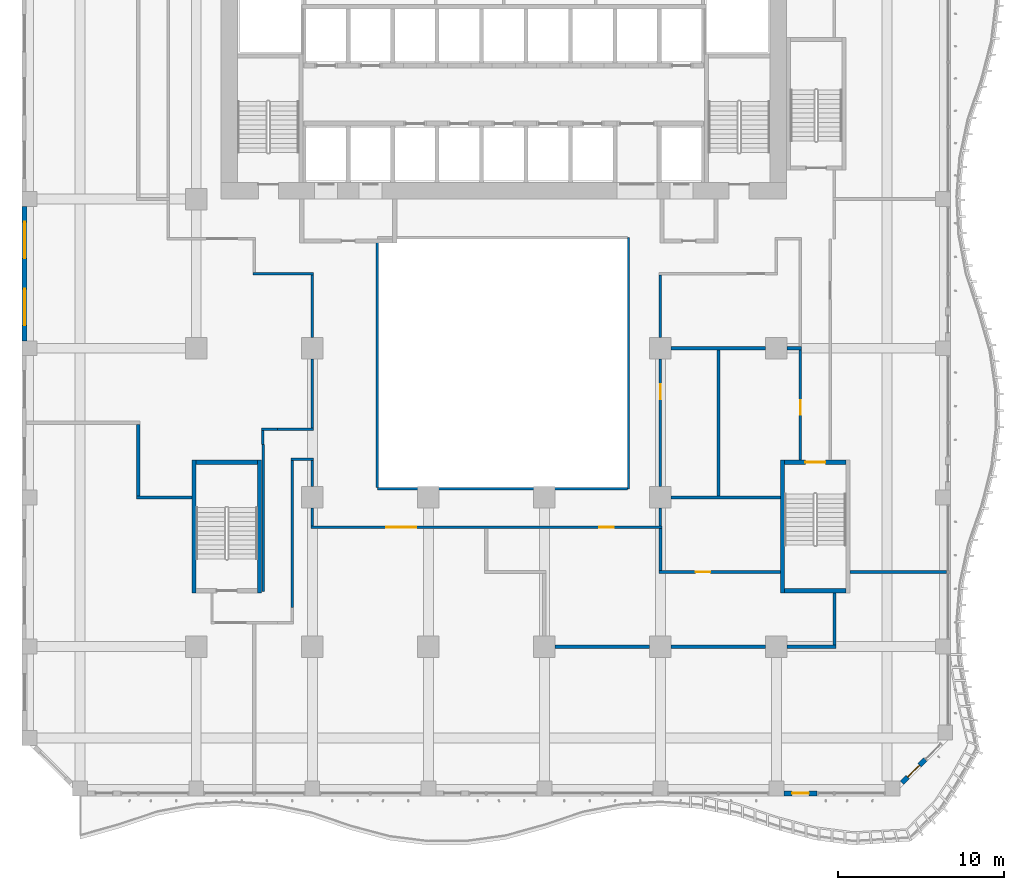
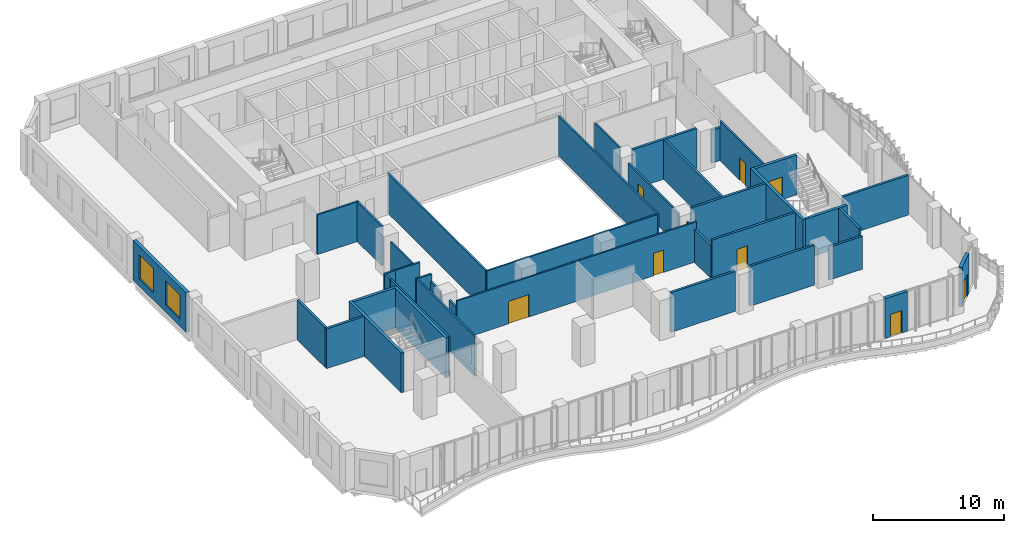
# One storey, part 13 of 26: 41 walls, 8 doors, 2 windows, 10 openings.
"""IFC4 building model written with IfcOpenShell, lengths in metres."""

from ifc_helpers import new_model, si_unit, direction, frame, frame_2d, origin, place, context, subcontext, project, spatial, rectangle, extrude, source, transform, mapped, material, layer, layer_set, type_object, element, fill, save


model = new_model("IFC4")

# Units and contexts
model_context = context("Model", 3, precision=1e-05, world=origin(), true_north=direction((0.0, 1.0)))
body_context = subcontext(model_context, "Body", "Model", "MODEL_VIEW")
ifc_project = project(units=[si_unit("LENGTHUNIT", "METRE"), si_unit("AREAUNIT", "SQUARE_METRE"), si_unit("VOLUMEUNIT", "CUBIC_METRE"), si_unit("PLANEANGLEUNIT", "RADIAN"), si_unit("MASSUNIT", "GRAM", prefix="KILO")], contexts=[model_context])

# Site, building, storey
site_placement = place(None, origin())
site = spatial("IfcSite", under=ifc_project, at=site_placement, CompositionType="ELEMENT")
building_placement = place(site_placement, origin())
building = spatial("IfcBuilding", under=site, at=building_placement, Name="Kilnfold Tower and Market Hall", CompositionType="ELEMENT")
storey_placement = place(building_placement, frame((0.0, 0.0, 31.0)))
storey = spatial("IfcBuildingStorey", under=building, at=storey_placement, Name="L06", CompositionType="ELEMENT", Elevation=31.0)

# Walls
ifc_material_1 = material(Name="Fire-resisting glazed screen")
ifc_layer_1 = layer(ifc_material_1, 0.14990234375)
ifc_layer_set_1 = layer_set([ifc_layer_1], Name="Fire-resisting glazed screen")
wall_type_1 = type_object("IfcWallType", Name="WALL ATRIUM 150", PredefinedType="PARTITIONING", material=ifc_layer_set_1)
wall_1_placement = place(storey_placement, frame((8.5, -9.47509765625, 0.0), z_axis=(0.0, 0.0, 1.0), x_axis=(-1.0, 0.0, 0.0)))
element("IfcWall", 1, at=wall_1_placement, inside=storey, type_object=wall_type_1, Name="Partition LY06.60", PredefinedType="PARTITIONING", context=body_context, shape_type="SweptSolid", body=[
    extrude(rectangle(XDim=15.074951171875, YDim=0.14990234375, at=frame_2d((7.53759765625, 0.0))), origin(), (0.0, 0.0, 1.0), 3.719970703125),
])
wall_2_placement = place(storey_placement, frame((-6.574951171875, -9.39990234375, 0.0), z_axis=(0.0, 0.0, 1.0), x_axis=(0.0, 1.0, 0.0)))
element("IfcWall", 2, at=wall_2_placement, inside=storey, type_object=wall_type_1, Name="Partition LY06.61", PredefinedType="PARTITIONING", context=body_context, shape_type="SweptSolid", body=[
    extrude(rectangle(XDim=15.0, YDim=0.14990234375, at=frame_2d((7.5, 0.0))), origin(), (0.0, 0.0, 1.0), 3.719970703125),
])
wall_3_placement = place(storey_placement, frame((8.574951171875, 5.675048828125, 0.0), z_axis=(0.0, 0.0, 1.0), x_axis=(0.0, -1.0, 0.0)))
element("IfcWall", 3, at=wall_3_placement, inside=storey, type_object=wall_type_1, Name="Partition LY06.63", PredefinedType="PARTITIONING", context=body_context, shape_type="SweptSolid", body=[
    extrude(rectangle(XDim=15.150146484375, YDim=0.14990234375, at=frame_2d((7.5751953125, 0.0))), origin(), (0.0, 0.0, 1.0), 3.719970703125),
])
ifc_material_2 = material(Name="Gypsum board on steel studs", Category="steel")
ifc_layer_2 = layer(ifc_material_2, 0.14990234375)
ifc_layer_set_2 = layer_set([ifc_layer_2], Name="Gypsum board on steel studs")
wall_type_2 = type_object("IfcWallType", Name="WALL CORRIDOR 150", PredefinedType="PARTITIONING", material=ifc_layer_set_2)
wall_4_placement = place(storey_placement, frame((-12.597900390625, -5.89794921875, 0.0), z_axis=(0.0, 0.0, 1.0), x_axis=(-1.0, 0.0, 0.0)))
element("IfcWall", 4, at=wall_4_placement, inside=storey, type_object=wall_type_2, Name="Partition LY06.1", PredefinedType="PARTITIONING", context=body_context, shape_type="SweptSolid", body=[
    extrude(rectangle(XDim=0.97900390625, YDim=0.14990234375, at=frame_2d((0.489501953125, 0.0))), origin(), (0.0, 0.0, 1.0), 3.719970703125),
])
wall_5_placement = place(storey_placement, frame((-10.425048828125, -5.89990234375, 0.0), z_axis=(0.0, 0.0, 1.0), x_axis=(-1.0, 0.0, 0.0)))
element("IfcWall", 5, at=wall_5_placement, inside=storey, type_object=wall_type_2, Name="Partition LY06.2", PredefinedType="PARTITIONING", context=body_context, shape_type="SweptSolid", body=[
    extrude(rectangle(XDim=2.1728515625, YDim=0.14990234375, at=frame_2d((1.08642578125, 0.0))), origin(), (0.0, 0.0, 1.0), 3.719970703125),
])
wall_6_placement = place(storey_placement, frame((-10.5, -5.824951171875, 0.0), z_axis=(0.0, 0.0, 1.0), x_axis=(0.0, 1.0, 0.0)))
element("IfcWall", 6, at=wall_6_placement, inside=storey, type_object=wall_type_2, Name="Partition LY06.3", PredefinedType="PARTITIONING", context=body_context, shape_type="SweptSolid", body=[
    extrude(rectangle(XDim=4.175048828125, YDim=0.14990234375, at=frame_2d((2.08740234375, 0.0))), origin(), (0.0, 0.0, 1.0), 3.070068359375),
])
wall_7_placement = place(storey_placement, frame((-10.5, -0.35009765625, 0.0), z_axis=(0.0, 0.0, 1.0), x_axis=(0.0, 1.0, 0.0)))
element("IfcWall", 7, at=wall_7_placement, inside=storey, type_object=wall_type_2, Name="Partition LY06.4", PredefinedType="PARTITIONING", context=body_context, shape_type="SweptSolid", body=[
    extrude(rectangle(XDim=3.775146484375, YDim=0.14990234375, at=frame_2d((1.8876953125, 0.0))), origin(), (0.0, 0.0, 1.0), 3.719970703125),
])
wall_8_placement = place(storey_placement, frame((-14.074951171875, 3.5, 0.0), z_axis=(0.0, 0.0, 1.0), x_axis=(1.0, 0.0, 0.0)))
element("IfcWall", 8, at=wall_8_placement, inside=storey, type_object=wall_type_2, Name="Partition LY06.5", PredefinedType="PARTITIONING", context=body_context, shape_type="SweptSolid", body=[
    extrude(rectangle(XDim=3.64990234375, YDim=0.14990234375, at=frame_2d((1.824951171875, 0.0))), origin(), (0.0, 0.0, 1.0), 3.719970703125),
])
wall_9_placement = place(storey_placement, frame((-13.469970703125, -6.802001953125, 0.0), z_axis=(0.0, 0.0, 1.0), x_axis=(0.0, -1.0, 0.0)))
element("IfcWall", 9, at=wall_9_placement, inside=storey, type_object=wall_type_2, Name="Partition LY06.9", PredefinedType="PARTITIONING", context=body_context, shape_type="SweptSolid", body=[
    extrude(rectangle(XDim=8.873046875, YDim=0.14990234375, at=frame_2d((4.4365234375, 0.0))), origin(), (0.0, 0.0, 1.0), 3.719970703125),
])
wall_10_placement = place(storey_placement, frame((-13.501953125, -5.972900390625, 0.0), z_axis=(0.0, 0.0, 1.0), x_axis=(0.0, -1.0, 0.0)))
element("IfcWall", 10, at=wall_10_placement, inside=storey, type_object=wall_type_2, Name="Partition LY06.10", PredefinedType="PARTITIONING", context=body_context, shape_type="SweptSolid", body=[
    extrude(rectangle(XDim=0.8291015625, YDim=0.14990234375, at=frame_2d((0.41455078125, 0.0))), origin(), (0.0, 0.0, 1.0), 3.719970703125),
])

# Wall, openings, doors
wall_11_placement = place(storey_placement, frame((-10.574951171875, -11.800048828125, 0.0), z_axis=(0.0, 0.0, 1.0), x_axis=(1.0, 0.0, 0.0)))
wall_11 = element("IfcWall", 11, at=wall_11_placement, inside=storey, type_object=wall_type_2, Name="Partition LY06.11", PredefinedType="PARTITIONING", context=body_context, shape_type="SweptSolid", body=[
    extrude(rectangle(XDim=21.175048828125, YDim=0.14990234375, at=frame_2d((10.58740234375, 0.0))), origin(), (0.0, 0.0, 1.0), 3.719970703125),
])
opening_1_placement = place(wall_11_placement, frame((4.5439453125, 0.0, 0.0)))
opening_1 = element("IfcOpeningElement", 12, at=opening_1_placement, cuts=wall_11, Name="Opening D5", PredefinedType="OPENING", context=body_context, shape_type="SweptSolid", body=[
    extrude(rectangle(XDim=1.800048828125, YDim=2.10009765625, at=frame_2d((0.89990234375, 1.050048828125))), frame((0.0, 0.0849609375, 0.0), z_axis=(0.0, -1.0, 0.0), x_axis=(1.0, 0.0, 0.0)), (0.0, 0.0, 1.0), 0.169921875),
])
opening_2_placement = place(wall_11_placement, frame((17.3720703125, 0.0, 0.0)))
opening_2 = element("IfcOpeningElement", 13, at=opening_2_placement, cuts=wall_11, Name="Opening D2", PredefinedType="OPENING", context=body_context, shape_type="SweptSolid", body=[
    extrude(rectangle(XDim=0.89990234375, YDim=2.10009765625, at=frame_2d((0.449951171875, 1.050048828125))), frame((0.0, 0.0849609375, 0.0), z_axis=(0.0, -1.0, 0.0), x_axis=(1.0, 0.0, 0.0)), (0.0, 0.0, 1.0), 0.169921875),
])
ifc_material_3 = material(Name="Timber veneer door leaf in steel frame", Category="steel")
door_type_1 = type_object("IfcDoorType", Name="DOOR DOUBLE 1800 X2100", OperationType="NOTDEFINED", PredefinedType="DOOR", material=ifc_material_3)
door_1_placement = place(opening_1_placement, origin())
door_1 = element("IfcDoor", 14, at=door_1_placement, inside=storey, type_object=door_type_1, Name="Door D5", OperationType="DOUBLE_DOOR_SINGLE_SWING", OverallHeight=2.10009765625, OverallWidth=1.800048828125, PredefinedType="DOOR", context=body_context, shape_type="SweptSolid", body=[
    extrude(rectangle(XDim=1.800048828125, YDim=2.10009765625, at=frame_2d((0.89990234375, 1.050048828125))), frame((0.0, 0.02490234375, 0.0), z_axis=(0.0, -1.0, 0.0), x_axis=(1.0, 0.0, 0.0)), (0.0, 0.0, 1.0), 0.050048828125),
])
fill(opening_1, door_1)
ifc_material_4 = material(Name="Timber veneer door leaf in steel frame", Category="steel")
door_type_2 = type_object("IfcDoorType", Name="DOOR ROOM 900 X2100", OperationType="NOTDEFINED", PredefinedType="DOOR", material=ifc_material_4)
door_2_placement = place(opening_2_placement, origin())
door_2 = element("IfcDoor", 15, at=door_2_placement, inside=storey, type_object=door_type_2, Name="Door D2", OperationType="SINGLE_SWING_LEFT", OverallHeight=2.10009765625, OverallWidth=0.89990234375, PredefinedType="DOOR", context=body_context, shape_type="SweptSolid", body=[
    extrude(rectangle(XDim=0.89990234375, YDim=2.10009765625, at=frame_2d((0.449951171875, 1.050048828125))), frame((0.0, 0.02490234375, 0.0), z_axis=(0.0, -1.0, 0.0), x_axis=(1.0, 0.0, 0.0)), (0.0, 0.0, 1.0), 0.050048828125),
])
fill(opening_2, door_2)

# Walls
wall_12_placement = place(storey_placement, frame((-10.5, -11.72509765625, 0.0), z_axis=(0.0, 0.0, 1.0), x_axis=(0.0, 1.0, 0.0)))
element("IfcWall", 16, at=wall_12_placement, inside=storey, type_object=wall_type_2, Name="Partition LY06.12", PredefinedType="PARTITIONING", context=body_context, shape_type="SweptSolid", body=[
    extrude(rectangle(XDim=1.0751953125, YDim=0.14990234375, at=frame_2d((0.53759765625, 0.0))), origin(), (0.0, 0.0, 1.0), 3.070068359375),
])
wall_13_placement = place(storey_placement, frame((-10.5, -9.35009765625, 0.0), z_axis=(0.0, 0.0, 1.0), x_axis=(0.0, 1.0, 0.0)))
element("IfcWall", 17, at=wall_13_placement, inside=storey, type_object=wall_type_2, Name="Partition LY06.13", PredefinedType="PARTITIONING", context=body_context, shape_type="SweptSolid", body=[
    extrude(rectangle(XDim=1.5751953125, YDim=0.14990234375, at=frame_2d((0.78759765625, 0.0))), origin(), (0.0, 0.0, 1.0), 3.070068359375),
])
wall_14_placement = place(storey_placement, frame((-11.77490234375, -7.699951171875, 0.0), z_axis=(0.0, 0.0, 1.0), x_axis=(1.0, 0.0, 0.0)))
element("IfcWall", 18, at=wall_14_placement, inside=storey, type_object=wall_type_2, Name="Partition LY06.14", PredefinedType="PARTITIONING", context=body_context, shape_type="SweptSolid", body=[
    extrude(rectangle(XDim=1.349853515625, YDim=0.14990234375, at=frame_2d((0.6748046875, 0.0))), origin(), (0.0, 0.0, 1.0), 3.719970703125),
])
wall_15_placement = place(storey_placement, frame((-11.699951171875, -16.64794921875, 0.0), z_axis=(0.0, 0.0, 1.0), x_axis=(0.0, 1.0, 0.0)))
element("IfcWall", 19, at=wall_15_placement, inside=storey, type_object=wall_type_2, Name="Partition LY06.15", PredefinedType="PARTITIONING", context=body_context, shape_type="SweptSolid", body=[
    extrude(rectangle(XDim=8.873046875, YDim=0.14990234375, at=frame_2d((4.4365234375, 0.0))), origin(), (0.0, 0.0, 1.0), 3.719970703125),
])
wall_16_placement = place(storey_placement, frame((10.5, -11.72509765625, 0.0), z_axis=(0.0, 0.0, 1.0), x_axis=(0.0, 1.0, 0.0)))
element("IfcWall", 20, at=wall_16_placement, inside=storey, type_object=wall_type_2, Name="Partition LY06.20", PredefinedType="PARTITIONING", context=body_context, shape_type="SweptSolid", body=[
    extrude(rectangle(XDim=1.0751953125, YDim=0.14990234375, at=frame_2d((0.53759765625, 0.0))), origin(), (0.0, 0.0, 1.0), 3.070068359375),
])

# Wall, opening, door
wall_17_placement = place(storey_placement, frame((10.5, -9.35009765625, 0.0), z_axis=(0.0, 0.0, 1.0), x_axis=(0.0, 1.0, 0.0)))
wall_17 = element("IfcWall", 21, at=wall_17_placement, inside=storey, type_object=wall_type_2, Name="Partition LY06.21", PredefinedType="PARTITIONING", context=body_context, shape_type="SweptSolid", body=[
    extrude(rectangle(XDim=7.7001953125, YDim=0.14990234375, at=frame_2d((3.85009765625, 0.0))), origin(), (0.0, 0.0, 1.0), 3.070068359375),
])
opening_3_placement = place(wall_17_placement, frame((5.279052734375, 0.0, 0.0)))
opening_3 = element("IfcOpeningElement", 22, at=opening_3_placement, cuts=wall_17, Name="Opening D3", PredefinedType="OPENING", context=body_context, shape_type="SweptSolid", body=[
    extrude(rectangle(XDim=0.89990234375, YDim=2.10009765625, at=frame_2d((0.449951171875, 1.050048828125))), frame((0.0, 0.0849609375, 0.0), z_axis=(0.0, -1.0, 0.0), x_axis=(1.0, 0.0, 0.0)), (0.0, 0.0, 1.0), 0.169921875),
])
ifc_material_5 = material(Name="Timber veneer door leaf in steel frame", Category="steel")
door_type_3 = type_object("IfcDoorType", Name="DOOR WC 900 X2100", OperationType="NOTDEFINED", PredefinedType="DOOR", material=ifc_material_5)
door_3_placement = place(opening_3_placement, origin())
door_3 = element("IfcDoor", 23, at=door_3_placement, inside=storey, type_object=door_type_3, Name="Door D3", OperationType="SINGLE_SWING_LEFT", OverallHeight=2.10009765625, OverallWidth=0.89990234375, PredefinedType="DOOR", context=body_context, shape_type="SweptSolid", body=[
    extrude(rectangle(XDim=0.89990234375, YDim=2.10009765625, at=frame_2d((0.449951171875, 1.050048828125))), frame((0.0, 0.02490234375, 0.0), z_axis=(0.0, -1.0, 0.0), x_axis=(1.0, 0.0, 0.0)), (0.0, 0.0, 1.0), 0.050048828125),
])
fill(opening_3, door_3)

wall_18_placement = place(storey_placement, frame((18.949951171875, -7.75, 0.0), z_axis=(0.0, 0.0, 1.0), x_axis=(0.0, 1.0, 0.0)))
wall_18 = element("IfcWall", 24, at=wall_18_placement, inside=storey, type_object=wall_type_2, Name="Partition LY06.22", PredefinedType="PARTITIONING", context=body_context, shape_type="SweptSolid", body=[
    extrude(rectangle(XDim=6.659912109375, YDim=0.14990234375, at=frame_2d((3.330078125, 0.0))), origin(), (0.0, 0.0, 1.0), 3.719970703125),
])
opening_4_placement = place(wall_18_placement, frame((2.72802734375, 0.0, 0.0)))
opening_4 = element("IfcOpeningElement", 25, at=opening_4_placement, cuts=wall_18, Name="Opening D2", PredefinedType="OPENING", context=body_context, shape_type="SweptSolid", body=[
    extrude(rectangle(XDim=0.89990234375, YDim=2.10009765625, at=frame_2d((0.449951171875, 1.050048828125))), frame((0.0, 0.0849609375, 0.0), z_axis=(0.0, -1.0, 0.0), x_axis=(1.0, 0.0, 0.0)), (0.0, 0.0, 1.0), 0.169921875),
])
door_4_placement = place(opening_4_placement, origin())
door_4 = element("IfcDoor", 26, at=door_4_placement, inside=storey, type_object=door_type_2, Name="Door D2", OperationType="SINGLE_SWING_LEFT", OverallHeight=2.10009765625, OverallWidth=0.89990234375, PredefinedType="DOOR", context=body_context, shape_type="SweptSolid", body=[
    extrude(rectangle(XDim=0.89990234375, YDim=2.10009765625, at=frame_2d((0.449951171875, 1.050048828125))), frame((0.0, 0.02490234375, 0.0), z_axis=(0.0, -1.0, 0.0), x_axis=(1.0, 0.0, 0.0)), (0.0, 0.0, 1.0), 0.050048828125),
])
fill(opening_4, door_4)

# Walls
wall_19_placement = place(storey_placement, frame((10.5, -0.35009765625, 0.0), z_axis=(0.0, 0.0, 1.0), x_axis=(0.0, 1.0, 0.0)))
element("IfcWall", 27, at=wall_19_placement, inside=storey, type_object=wall_type_2, Name="Partition LY06.27", PredefinedType="PARTITIONING", context=body_context, shape_type="SweptSolid", body=[
    extrude(rectangle(XDim=3.775146484375, YDim=0.14990234375, at=frame_2d((1.8876953125, 0.0))), origin(), (0.0, 0.0, 1.0), 3.719970703125),
])
ifc_material_6 = material(Name="Gypsum board on steel studs", Category="steel")
ifc_layer_3 = layer(ifc_material_6, 0.199951171875)
ifc_layer_set_3 = layer_set([ifc_layer_3], Name="Gypsum board on steel studs")
wall_type_3 = type_object("IfcWallType", Name="WALL PARTY 200", PredefinedType="PARTITIONING", material=ifc_layer_set_3)
wall_20_placement = place(storey_placement, frame((-21.10009765625, -10.0, 0.0), z_axis=(0.0, 0.0, 1.0), x_axis=(1.0, 0.0, 0.0)))
element("IfcWall", 28, at=wall_20_placement, inside=storey, type_object=wall_type_3, Name="Partition LY06.35", PredefinedType="PARTITIONING", context=body_context, shape_type="SweptSolid", body=[
    extrude(rectangle(XDim=3.35009765625, YDim=0.199951171875, at=frame_2d((1.675048828125, 0.0))), origin(), (0.0, 0.0, 1.0), 3.719970703125),
])
wall_21_placement = place(storey_placement, frame((-21.0, -9.89990234375, 0.0), z_axis=(0.0, 0.0, 1.0), x_axis=(0.0, 1.0, 0.0)))
element("IfcWall", 29, at=wall_21_placement, inside=storey, type_object=wall_type_3, Name="Partition LY06.36", PredefinedType="PARTITIONING", context=body_context, shape_type="SweptSolid", body=[
    extrude(rectangle(XDim=4.2998046875, YDim=0.199951171875, at=frame_2d((2.14990234375, 0.0))), origin(), (0.0, 0.0, 1.0), 3.719970703125),
])
for number, where, z_axis, x_axis, name in (
    (30, (4.14990234375, -19.0, 0.0), (0.0, 0.0, 1.0), (1.0, 0.0, 0.0), "Partition LY06.45"),
    (31, (11.14990234375, -19.0, 0.0), (0.0, 0.0, 1.0), (1.0, 0.0, 0.0), "Partition LY06.46"),
):
    element("IfcWall", number, at=place(storey_placement, frame(where, z_axis=z_axis, x_axis=x_axis)), inside=storey, type_object=wall_type_3, Name=name, PredefinedType="PARTITIONING", context=body_context, shape_type="SweptSolid", body=[
        extrude(rectangle(XDim=5.7001953125, YDim=0.199951171875, at=frame_2d((2.85009765625, 0.0))), origin(), (0.0, 0.0, 1.0), 3.719970703125),
    ])
wall_22_placement = place(storey_placement, frame((18.14990234375, -19.0, 0.0), z_axis=(0.0, 0.0, 1.0), x_axis=(1.0, 0.0, 0.0)))
element("IfcWall", 32, at=wall_22_placement, inside=storey, type_object=wall_type_3, Name="Partition LY06.47", PredefinedType="PARTITIONING", context=body_context, shape_type="SweptSolid", body=[
    extrude(rectangle(XDim=2.9501953125, YDim=0.199951171875, at=frame_2d((1.47509765625, 0.0))), origin(), (0.0, 0.0, 1.0), 3.070068359375),
])
wall_23_placement = place(storey_placement, frame((21.0, -15.75, 0.0), z_axis=(0.0, 0.0, 1.0), x_axis=(0.0, -1.0, 0.0)))
element("IfcWall", 33, at=wall_23_placement, inside=storey, type_object=wall_type_3, Name="Partition LY06.48", PredefinedType="PARTITIONING", context=body_context, shape_type="SweptSolid", body=[
    extrude(rectangle(XDim=3.14990234375, YDim=0.199951171875, at=frame_2d((1.574951171875, 0.0))), origin(), (0.0, 0.0, 1.0), 3.719970703125),
])
wall_24_placement = place(storey_placement, frame((21.949951171875, -14.5, 0.0), z_axis=(0.0, 0.0, 1.0), x_axis=(1.0, 0.0, 0.0)))
element("IfcWall", 34, at=wall_24_placement, inside=storey, type_object=wall_type_3, Name="Partition LY06.49", PredefinedType="PARTITIONING", context=body_context, shape_type="SweptSolid", body=[
    extrude(rectangle(XDim=5.800048828125, YDim=0.199951171875, at=frame_2d((2.89990234375, 0.0))), origin(), (0.0, 0.0, 1.0), 3.719970703125),
])
wall_25_placement = place(storey_placement, frame((10.5, -14.39990234375, 0.0), z_axis=(0.0, 0.0, 1.0), x_axis=(0.0, 1.0, 0.0)))
element("IfcWall", 35, at=wall_25_placement, inside=storey, type_object=wall_type_3, Name="Partition LY06.50", PredefinedType="PARTITIONING", context=body_context, shape_type="SweptSolid", body=[
    extrude(rectangle(XDim=2.52392578125, YDim=0.199951171875, at=frame_2d((1.261962890625, 0.0))), origin(), (0.0, 0.0, 1.0), 3.070068359375),
])

# Wall, opening, door
wall_26_placement = place(storey_placement, frame((10.39990234375, -14.5, 0.0), z_axis=(0.0, 0.0, 1.0), x_axis=(1.0, 0.0, 0.0)))
wall_26 = element("IfcWall", 36, at=wall_26_placement, inside=storey, type_object=wall_type_3, Name="Partition LY06.51", PredefinedType="PARTITIONING", context=body_context, shape_type="SweptSolid", body=[
    extrude(rectangle(XDim=7.35009765625, YDim=0.199951171875, at=frame_2d((3.675048828125, 0.0))), origin(), (0.0, 0.0, 1.0), 3.719970703125),
])
opening_5_placement = place(wall_26_placement, frame((2.217041015625, 0.0, 0.0)))
opening_5 = element("IfcOpeningElement", 37, at=opening_5_placement, cuts=wall_26, Name="Opening D2", PredefinedType="OPENING", context=body_context, shape_type="SweptSolid", body=[
    extrude(rectangle(XDim=0.89990234375, YDim=2.10009765625, at=frame_2d((0.449951171875, 1.050048828125))), frame((0.0, 0.10986328125, 0.0), z_axis=(0.0, -1.0, 0.0), x_axis=(1.0, 0.0, 0.0)), (0.0, 0.0, 1.0), 0.219970703125),
])
door_5_placement = place(opening_5_placement, origin())
door_5 = element("IfcDoor", 38, at=door_5_placement, inside=storey, type_object=door_type_2, Name="Door D2", OperationType="SINGLE_SWING_LEFT", OverallHeight=2.10009765625, OverallWidth=0.89990234375, PredefinedType="DOOR", context=body_context, shape_type="SweptSolid", body=[
    extrude(rectangle(XDim=0.89990234375, YDim=2.10009765625, at=frame_2d((0.449951171875, 1.050048828125))), frame((0.0, 0.02490234375, 0.0), z_axis=(0.0, -1.0, 0.0), x_axis=(1.0, 0.0, 0.0)), (0.0, 0.0, 1.0), 0.050048828125),
])
fill(opening_5, door_5)

# Walls
wall_27_placement = place(storey_placement, frame((11.14990234375, -10.0, 0.0), z_axis=(0.0, 0.0, 1.0), x_axis=(1.0, 0.0, 0.0)))
element("IfcWall", 39, at=wall_27_placement, inside=storey, type_object=wall_type_3, Name="Partition LY06.52", PredefinedType="PARTITIONING", context=body_context, shape_type="SweptSolid", body=[
    extrude(rectangle(XDim=6.60009765625, YDim=0.199951171875, at=frame_2d((3.300048828125, 0.0))), origin(), (0.0, 0.0, 1.0), 3.719970703125),
])
wall_28_placement = place(storey_placement, frame((14.0, -9.89990234375, 0.0), z_axis=(0.0, 0.0, 1.0), x_axis=(0.0, 1.0, 0.0)))
element("IfcWall", 40, at=wall_28_placement, inside=storey, type_object=wall_type_3, Name="Partition LY06.53", PredefinedType="PARTITIONING", context=body_context, shape_type="SweptSolid", body=[
    extrude(rectangle(XDim=8.7998046875, YDim=0.199951171875, at=frame_2d((4.39990234375, 0.0))), origin(), (0.0, 0.0, 1.0), 3.719970703125),
])
wall_29_placement = place(storey_placement, frame((11.14990234375, -1.0, 0.0), z_axis=(0.0, 0.0, 1.0), x_axis=(1.0, 0.0, 0.0)))
element("IfcWall", 41, at=wall_29_placement, inside=storey, type_object=wall_type_3, Name="Partition LY06.54", PredefinedType="PARTITIONING", context=body_context, shape_type="SweptSolid", body=[
    extrude(rectangle(XDim=5.7001953125, YDim=0.199951171875, at=frame_2d((2.85009765625, 0.0))), origin(), (0.0, 0.0, 1.0), 3.719970703125),
])
wall_30_placement = place(storey_placement, frame((18.14990234375, -1.0, 0.0), z_axis=(0.0, 0.0, 1.0), x_axis=(1.0, 0.0, 0.0)))
element("IfcWall", 42, at=wall_30_placement, inside=storey, type_object=wall_type_3, Name="Partition LY06.55", PredefinedType="PARTITIONING", context=body_context, shape_type="SweptSolid", body=[
    extrude(rectangle(XDim=0.8740234375, YDim=0.199951171875, at=frame_2d((0.43701171875, 0.0))), origin(), (0.0, 0.0, 1.0), 3.070068359375),
])
ifc_material_7 = material(Name="Concrete C80", Category="concrete")
ifc_layer_4 = layer(ifc_material_7, 0.25)
ifc_layer_set_4 = layer_set([ifc_layer_4], Name="Concrete C80")
wall_type_4 = type_object("IfcWallType", Name="CORE WALL 250 C80", PredefinedType="SHEAR", material=ifc_layer_set_4)
shared_shape_1 = source(origin(), body_context, "Body", "SweptSolid", [
    extrude(rectangle(XDim=3.699951171875, YDim=0.25, at=frame_2d((1.85009765625, 0.0))), origin(), (0.0, 0.0, 1.0), 3.719970703125),
])
for number, where, z_axis, x_axis, name in (
    (43, (-17.5, -7.875, 0.0), (0.0, 0.0, 1.0), (1.0, 0.0, 0.0), "Stair enclosure ST3"),
    (44, (18.0, -15.625, 0.0), (0.0, 0.0, 1.0), (1.0, 0.0, 0.0), "Stair enclosure ST4"),
):
    element("IfcWall", number, at=place(storey_placement, frame(where, z_axis=z_axis, x_axis=x_axis)), inside=storey, type_object=wall_type_4, Name=name, PredefinedType="SHEAR", context=body_context, shape_type="MappedRepresentation", body=[
        mapped(shared_shape_1, transform((0.0, 0.0, 0.0))),
    ])

# Wall, opening, door
wall_31_placement = place(storey_placement, frame((18.0, -7.875, 0.0), z_axis=(0.0, 0.0, 1.0), x_axis=(1.0, 0.0, 0.0)))
wall_31 = element("IfcWall", 45, at=wall_31_placement, inside=storey, type_object=wall_type_4, Name="Stair enclosure ST4", PredefinedType="SHEAR", context=body_context, shape_type="MappedRepresentation", body=[
    mapped(shared_shape_1, transform((0.0, 0.0, 0.0))),
])
opening_6_placement = place(wall_31_placement, frame((1.25, 0.0, 0.0)))
opening_6 = element("IfcOpeningElement", 46, at=opening_6_placement, cuts=wall_31, Name="Opening SD1", PredefinedType="OPENING", context=body_context, shape_type="SweptSolid", body=[
    extrude(rectangle(XDim=1.199951171875, YDim=2.10009765625, at=frame_2d((0.60009765625, 1.050048828125))), frame((0.0, 0.135009765625, 0.0), z_axis=(0.0, -1.0, 0.0), x_axis=(1.0, 0.0, 0.0)), (0.0, 0.0, 1.0), 0.27001953125),
])
ifc_material_8 = material(Name="Steel door set with fire-resisting leaf", Category="steel")
door_type_4 = type_object("IfcDoorType", Name="STAIR FLOOR DOOR 1200X2100", OperationType="NOTDEFINED", PredefinedType="DOOR", material=ifc_material_8)
door_6_placement = place(opening_6_placement, origin())
door_6 = element("IfcDoor", 47, at=door_6_placement, inside=storey, type_object=door_type_4, Name="Exit stair ST4 door", OperationType="DOUBLE_DOOR_SINGLE_SWING", OverallHeight=2.10009765625, OverallWidth=1.199951171875, PredefinedType="DOOR", context=body_context, shape_type="SweptSolid", body=[
    extrude(rectangle(XDim=1.199951171875, YDim=2.10009765625, at=frame_2d((0.60009765625, 1.050048828125))), frame((0.0, 0.02490234375, 0.0), z_axis=(0.0, -1.0, 0.0), x_axis=(1.0, 0.0, 0.0)), (0.0, 0.0, 1.0), 0.050048828125),
])
fill(opening_6, door_6)

# Walls
shared_shape_2 = source(origin(), body_context, "Body", "SweptSolid", [
    extrude(rectangle(XDim=8.0, YDim=0.25, at=frame_2d((4.0, 0.0))), origin(), (0.0, 0.0, 1.0), 3.719970703125),
])
for number, where, z_axis, x_axis, name in (
    (48, (-17.625, -15.75, 0.0), (0.0, 0.0, 1.0), (0.0, 1.0, 0.0), "Stair enclosure ST3"),
    (49, (-13.675048828125, -15.75, 0.0), (0.0, 0.0, 1.0), (0.0, 1.0, 0.0), "Stair enclosure ST3"),
    (50, (17.875, -15.75, 0.0), (0.0, 0.0, 1.0), (0.0, 1.0, 0.0), "Stair enclosure ST4"),
):
    element("IfcWall", number, at=place(storey_placement, frame(where, z_axis=z_axis, x_axis=x_axis)), inside=storey, type_object=wall_type_4, Name=name, PredefinedType="SHEAR", context=body_context, shape_type="MappedRepresentation", body=[
        mapped(shared_shape_2, transform((0.0, 0.0, 0.0))),
    ])

# Wall, opening, door
ifc_material_9 = material(Name="Precast concrete C50/60", Category="concrete")
ifc_layer_5 = layer(ifc_material_9, 0.300048828125)
ifc_layer_set_5 = layer_set([ifc_layer_5], Name="Precast concrete C50/60")
wall_type_5 = type_object("IfcWallType", Name="PRECAST WALL 300", PredefinedType="SOLIDWALL", material=ifc_layer_set_5)
shared_shape_3 = source(origin(), body_context, "Body", "SweptSolid", [
    extrude(rectangle(XDim=2.0, YDim=0.300048828125, at=frame_2d((1.0, 0.0))), origin(), (0.0, 0.0, 1.0), 3.719970703125),
])
wall_32_placement = place(storey_placement, frame((17.949951171875, -27.85009765625, 0.0), z_axis=(0.0, 0.0, 1.0), x_axis=(1.0, 0.0, 0.0)))
wall_32 = element("IfcWall", 51, at=wall_32_placement, inside=storey, type_object=wall_type_5, Name="External wall L06 S", PredefinedType="SOLIDWALL", context=body_context, shape_type="MappedRepresentation", body=[
    mapped(shared_shape_3, transform((0.0, 0.0, 0.0))),
])
opening_7_placement = place(wall_32_placement, frame((0.5, 0.0, 0.0)))
opening_7 = element("IfcOpeningElement", 52, at=opening_7_placement, cuts=wall_32, Name="Opening BD1", PredefinedType="OPENING", context=body_context, shape_type="SweptSolid", body=[
    extrude(rectangle(XDim=1.0, YDim=2.10009765625, at=frame_2d((0.5, 1.050048828125))), frame((0.0, 0.16015625, 0.0), z_axis=(0.0, -1.0, 0.0), x_axis=(1.0, 0.0, 0.0)), (0.0, 0.0, 1.0), 0.320068359375),
])
ifc_material_10 = material(Name="Aluminium frame and double glazing", Category="aluminium")
door_type_5 = type_object("IfcDoorType", Name="BALCONY DOOR 1000X2100", OperationType="NOTDEFINED", PredefinedType="DOOR", material=ifc_material_10)
door_7_placement = place(opening_7_placement, origin())
door_7 = element("IfcDoor", 53, at=door_7_placement, inside=storey, type_object=door_type_5, Name="Balcony door BD1 L06 S-1", OperationType="SINGLE_SWING_LEFT", OverallHeight=2.10009765625, OverallWidth=1.0, PredefinedType="DOOR", context=body_context, shape_type="SweptSolid", body=[
    extrude(rectangle(XDim=1.0, YDim=2.10009765625, at=frame_2d((0.5, 1.050048828125))), frame((0.0, 0.02490234375, 0.0), z_axis=(0.0, -1.0, 0.0), x_axis=(1.0, 0.0, 0.0)), (0.0, 0.0, 1.0), 0.050048828125),
])
fill(opening_7, door_7)

shared_shape_4 = source(origin(), body_context, "Body", "SweptSolid", [
    extrude(rectangle(XDim=2.000244140625, YDim=0.300048828125, at=frame_2d((1.0, 0.0))), origin(), (0.0, 0.0, 1.0), 3.719970703125),
])
wall_33_placement = place(storey_placement, frame((25.06884765625, -27.218994140625, 0.0), z_axis=(0.0, 0.0, 1.0), x_axis=(0.707106781187, 0.707106781187, 0.0)))
wall_33 = element("IfcWall", 54, at=wall_33_placement, inside=storey, type_object=wall_type_5, Name="External wall L06 SE", PredefinedType="SOLIDWALL", context=body_context, shape_type="MappedRepresentation", body=[
    mapped(shared_shape_4, transform((0.0, 0.0, 0.0))),
])
opening_8_placement = place(wall_33_placement, frame((0.5, 0.0, 0.0)))
opening_8 = element("IfcOpeningElement", 55, at=opening_8_placement, cuts=wall_33, Name="Opening BD1", PredefinedType="OPENING", context=body_context, shape_type="SweptSolid", body=[
    extrude(rectangle(XDim=1.0, YDim=2.10009765625, at=frame_2d((0.5, 1.050048828125))), frame((0.0, 0.16015625, 0.0), z_axis=(0.0, -1.0, 0.0), x_axis=(1.0, 0.0, 0.0)), (0.0, 0.0, 1.0), 0.320068359375),
])
door_8_placement = place(opening_8_placement, origin())
door_8 = element("IfcDoor", 56, at=door_8_placement, inside=storey, type_object=door_type_5, Name="Balcony door BD1 L06 SE-1", OperationType="SINGLE_SWING_LEFT", OverallHeight=2.10009765625, OverallWidth=1.0, PredefinedType="DOOR", context=body_context, shape_type="SweptSolid", body=[
    extrude(rectangle(XDim=1.0, YDim=2.10009765625, at=frame_2d((0.5, 1.050048828125))), frame((0.0, 0.02490234375, 0.0), z_axis=(0.0, -1.0, 0.0), x_axis=(1.0, 0.0, 0.0)), (0.0, 0.0, 1.0), 0.050048828125),
])
fill(opening_8, door_8)

# Wall, openings, windows
shared_shape_5 = source(origin(), body_context, "Body", "SweptSolid", [
    extrude(rectangle(XDim=8.10009765625, YDim=0.300048828125, at=frame_2d((4.050048828125, 0.0))), origin(), (0.0, 0.0, 1.0), 3.719970703125),
])
wall_34_placement = place(storey_placement, frame((-27.85009765625, 7.550048828125, 0.0), z_axis=(0.0, 0.0, 1.0), x_axis=(0.0, -1.0, 0.0)))
wall_34 = element("IfcWall", 57, at=wall_34_placement, inside=storey, type_object=wall_type_5, Name="External wall L06 W", PredefinedType="SOLIDWALL", context=body_context, shape_type="MappedRepresentation", body=[
    mapped(shared_shape_5, transform((0.0, 0.0, 0.0))),
])
opening_9_placement = place(wall_34_placement, frame((0.925048828125, 0.0, 0.699951171875)))
opening_9 = element("IfcOpeningElement", 58, at=opening_9_placement, cuts=wall_34, Name="Opening W1", PredefinedType="OPENING", context=body_context, shape_type="SweptSolid", body=[
    extrude(rectangle(XDim=2.199951171875, YDim=2.25, at=frame_2d((1.10009765625, 1.125))), frame((0.0, 0.16015625, 0.0), z_axis=(0.0, -1.0, 0.0), x_axis=(1.0, 0.0, 0.0)), (0.0, 0.0, 1.0), 0.320068359375),
])
opening_10_placement = place(wall_34_placement, frame((4.97509765625, 0.0, 0.699951171875)))
opening_10 = element("IfcOpeningElement", 59, at=opening_10_placement, cuts=wall_34, Name="Opening W1", PredefinedType="OPENING", context=body_context, shape_type="SweptSolid", body=[
    extrude(rectangle(XDim=2.199951171875, YDim=2.25, at=frame_2d((1.10009765625, 1.125))), frame((0.0, 0.16015625, 0.0), z_axis=(0.0, -1.0, 0.0), x_axis=(1.0, 0.0, 0.0)), (0.0, 0.0, 1.0), 0.320068359375),
])
ifc_material_11 = material(Name="Aluminium frame and double glazing", Category="aluminium")
window_type = type_object("IfcWindowType", Name="WINDOW W1 2200X2250", PartitioningType="SINGLE_PANEL", PredefinedType="WINDOW", material=ifc_material_11)
window_1_placement = place(opening_9_placement, origin())
window_1 = element("IfcWindow", 60, at=window_1_placement, inside=storey, type_object=window_type, Name="Window W1 L06 W-1", OverallHeight=2.25, OverallWidth=2.199951171875, PartitioningType="SINGLE_PANEL", PredefinedType="WINDOW", context=body_context, shape_type="SweptSolid", body=[
    extrude(rectangle(XDim=2.199951171875, YDim=2.25, at=frame_2d((1.10009765625, 1.125))), frame((0.0, 0.030029296875, 0.0), z_axis=(0.0, -1.0, 0.0), x_axis=(1.0, 0.0, 0.0)), (0.0, 0.0, 1.0), 0.06005859375),
])
fill(opening_9, window_1)
window_2_placement = place(opening_10_placement, origin())
window_2 = element("IfcWindow", 61, at=window_2_placement, inside=storey, type_object=window_type, Name="Window W1 L06 W-2", OverallHeight=2.25, OverallWidth=2.199951171875, PartitioningType="SINGLE_PANEL", PredefinedType="WINDOW", context=body_context, shape_type="SweptSolid", body=[
    extrude(rectangle(XDim=2.199951171875, YDim=2.25, at=frame_2d((1.10009765625, 1.125))), frame((0.0, 0.030029296875, 0.0), z_axis=(0.0, -1.0, 0.0), x_axis=(1.0, 0.0, 0.0)), (0.0, 0.0, 1.0), 0.06005859375),
])
fill(opening_10, window_2)

save(model, "model.ifc")
